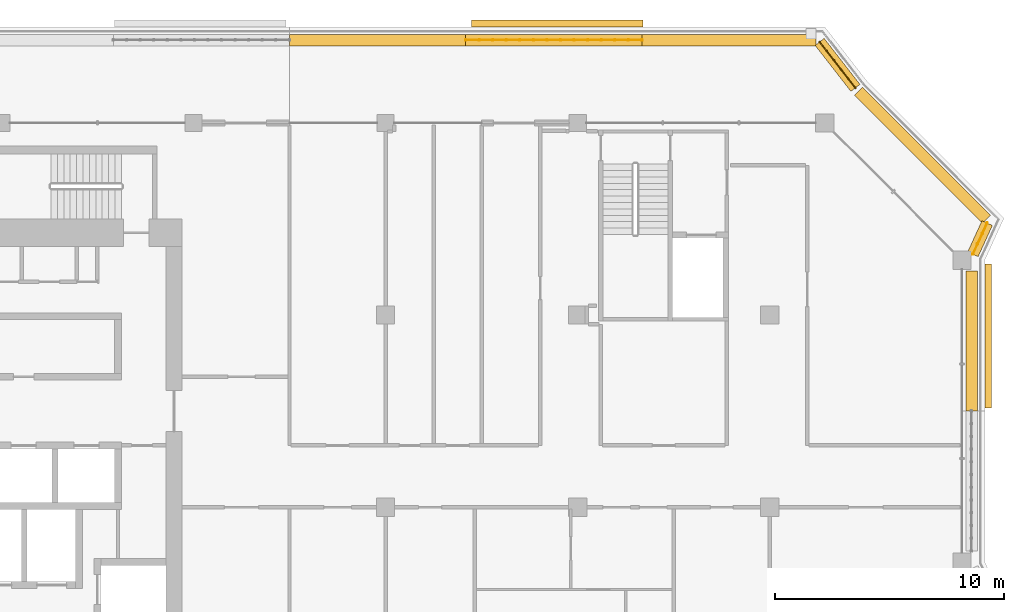
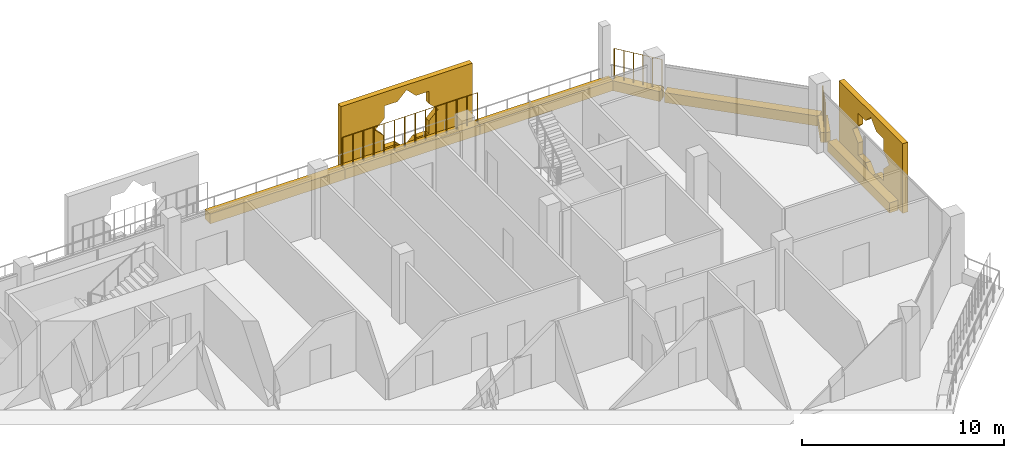
# One storey, part 21 of 21: 9 coverings, 3 railings.
"""IFC4 building model written with IfcOpenShell, lengths in metres."""

from ifc_helpers import new_model, si_unit, direction, frame, origin, origin_2d, place, context, subcontext, project, spatial, polyline, rectangle, circle, outline, extrude, material, material_profile, profile_set, type_object, element, save


model = new_model("IFC4")

# Units and contexts
model_context = context("Model", 3, precision=1e-05, world=origin(), true_north=direction((0.0, 1.0)))
body_context = subcontext(model_context, "Body", "Model", "MODEL_VIEW")
ifc_project = project(units=[si_unit("LENGTHUNIT", "METRE"), si_unit("AREAUNIT", "SQUARE_METRE"), si_unit("VOLUMEUNIT", "CUBIC_METRE"), si_unit("PLANEANGLEUNIT", "RADIAN"), si_unit("MASSUNIT", "GRAM", prefix="KILO")], contexts=[model_context])

# Site, building, storey
site_placement = place(None, origin())
site = spatial("IfcSite", under=ifc_project, at=site_placement, CompositionType="ELEMENT")
building_placement = place(site_placement, origin())
building = spatial("IfcBuilding", under=site, at=building_placement, Name="Kawkab Arch Medical Tower", CompositionType="ELEMENT")
storey_placement = place(building_placement, frame((0.0, 0.0, 319.60009765625)))
storey = spatial("IfcBuildingStorey", under=building, at=storey_placement, Name="L74", CompositionType="ELEMENT", Elevation=319.60009765625)

# Coverings
ifc_material_1 = material(Name="Bronze anodised aluminium mashrabiya panel, eight-point star pattern", Category="aluminium")
ifc_material_profile_1 = material_profile(ifc_material_1, outline(polyline([(-3.14990234375, -2.10009765625), (3.14990234375, -2.10009765625), (3.14990234375, 2.10009765625), (-3.14990234375, 2.10009765625), (-3.14990234375, -2.10009765625)]), holes=[polyline([(1.800048828125, 0.0), (1.272705078125, 0.527099609375), (1.272705078125, 1.272705078125), (0.527099609375, 1.272705078125), (0.0, 1.800048828125), (-0.527099609375, 1.272705078125), (-1.272705078125, 1.272705078125), (-1.272705078125, 0.527099609375), (-1.800048828125, 0.0), (-1.272705078125, -0.527099609375), (-1.272705078125, -1.272705078125), (-0.527099609375, -1.272705078125), (0.0, -1.800048828125), (0.527099609375, -1.272705078125), (1.272705078125, -1.272705078125), (1.272705078125, -0.527099609375), (1.800048828125, 0.0)])]), Name="Mashrabiya panel 6300x4200")
ifc_profile_set_1 = profile_set([ifc_material_profile_1], Name="Bronze anodised aluminium mashrabiya panel, eight-point star pattern")
covering_type_1 = type_object("IfcCoveringType", Name="Mashrabiya panel 6300 x 4200", PredefinedType="USERDEFINED", material=ifc_profile_set_1)
covering_1_placement = place(storey_placement, frame((59.800048828125, -9.31884765625, 1.699951171875), z_axis=(1.0, 0.0, 0.0), x_axis=(0.0, 1.0, 0.0)))
element("IfcCovering", 1, at=covering_1_placement, inside=storey, type_object=covering_type_1, Name="Mashrabiya panel L74.LOG-01-01.6", ObjectType="SCREEN", PredefinedType="USERDEFINED", context=body_context, shape_type="SweptSolid", body=[
    extrude(outline(polyline([(-3.14990234375, -2.10009765625), (3.14990234375, -2.10009765625), (3.14990234375, 2.10009765625), (-3.14990234375, 2.10009765625), (-3.14990234375, -2.10009765625)]), holes=[polyline([(1.800048828125, 0.0), (1.272705078125, 0.527099609375), (1.272705078125, 1.272705078125), (0.527099609375, 1.272705078125), (0.0, 1.800048828125), (-0.527099609375, 1.272705078125), (-1.272705078125, 1.272705078125), (-1.272705078125, 0.527099609375), (-1.800048828125, 0.0), (-1.272705078125, -0.527099609375), (-1.272705078125, -1.272705078125), (-0.527099609375, -1.272705078125), (0.0, -1.800048828125), (0.527099609375, -1.272705078125), (1.272705078125, -1.272705078125), (1.272705078125, -0.527099609375), (1.800048828125, 0.0)])]), origin(), (0.0, 0.0, 1.0), 0.300048828125),
])
ifc_material_2 = material(Name="Bronze anodised aluminium mashrabiya panel, eight-point star pattern", Category="aluminium")
ifc_material_profile_2 = material_profile(ifc_material_2, outline(polyline([(-3.75, -2.10009765625), (3.75, -2.10009765625), (3.75, 2.10009765625), (-3.75, 2.10009765625), (-3.75, -2.10009765625)]), holes=[polyline([(1.800048828125, 0.0), (1.272705078125, 0.527099609375), (1.272705078125, 1.272705078125), (0.527099609375, 1.272705078125), (0.0, 1.800048828125), (-0.527099609375, 1.272705078125), (-1.272705078125, 1.272705078125), (-1.272705078125, 0.527099609375), (-1.800048828125, 0.0), (-1.272705078125, -0.527099609375), (-1.272705078125, -1.272705078125), (-0.527099609375, -1.272705078125), (0.0, -1.800048828125), (0.527099609375, -1.272705078125), (1.272705078125, -1.272705078125), (1.272705078125, -0.527099609375), (1.800048828125, 0.0)])]), Name="Mashrabiya panel 7500x4200")
ifc_profile_set_2 = profile_set([ifc_material_profile_2], Name="Bronze anodised aluminium mashrabiya panel, eight-point star pattern")
covering_type_2 = type_object("IfcCoveringType", Name="Mashrabiya panel 7500 x 4200", PredefinedType="USERDEFINED", material=ifc_profile_set_2)
covering_2_placement = place(storey_placement, frame((41.09765625, 4.199951171875, 1.699951171875), z_axis=(0.0, 1.0, 0.0), x_axis=(-1.0, 0.0, 0.0)))
element("IfcCovering", 2, at=covering_2_placement, inside=storey, type_object=covering_type_2, Name="Mashrabiya panel L74.LOG-01-01.5", ObjectType="SCREEN", PredefinedType="USERDEFINED", context=body_context, shape_type="SweptSolid", body=[
    extrude(outline(polyline([(-3.75, -2.10009765625), (3.75, -2.10009765625), (3.75, 2.10009765625), (-3.75, 2.10009765625), (-3.75, -2.10009765625)]), holes=[polyline([(1.800048828125, 0.0), (1.272705078125, 0.527099609375), (1.272705078125, 1.272705078125), (0.527099609375, 1.272705078125), (0.0, 1.800048828125), (-0.527099609375, 1.272705078125), (-1.272705078125, 1.272705078125), (-1.272705078125, 0.527099609375), (-1.800048828125, 0.0), (-1.272705078125, -0.527099609375), (-1.272705078125, -1.272705078125), (-0.527099609375, -1.272705078125), (0.0, -1.800048828125), (0.527099609375, -1.272705078125), (1.272705078125, -1.272705078125), (1.272705078125, -0.527099609375), (1.800048828125, 0.0)])]), origin(), (0.0, 0.0, 1.0), 0.300048828125),
])
ifc_material_3 = material(Name="Planting soil in a precast trough", Category="concrete")
ifc_material_profile_3 = material_profile(ifc_material_3, rectangle(XDim=0.5, YDim=0.60009765625, at=origin_2d()), Name="Trough 500x600")
ifc_profile_set_3 = profile_set([ifc_material_profile_3], Name="Planting soil in a precast trough")
covering_type_3 = type_object("IfcCoveringType", Name="Planter trough 500 x 600", PredefinedType="USERDEFINED", material=ifc_profile_set_3)
covering_3_placement = place(storey_placement, frame((29.39990234375, 3.6201171875, 0.2998046875), z_axis=(1.0, 0.0, 0.0), x_axis=(0.0, 1.0, 0.0)))
element("IfcCovering", 3, at=covering_3_placement, inside=storey, type_object=covering_type_3, Name="Planter L74.LOG-01-01.16", ObjectType="PLANTER", PredefinedType="USERDEFINED", context=body_context, shape_type="SweptSolid", body=[
    extrude(rectangle(XDim=0.5, YDim=0.60009765625, at=origin_2d()), origin(), (0.0, 0.0, 1.0), 7.705078125),
])
covering_4_placement = place(storey_placement, frame((37.10498046875, 3.6201171875, 0.2998046875), z_axis=(1.0, 0.0, 0.0), x_axis=(0.0, 1.0, 0.0)))
element("IfcCovering", 4, at=covering_4_placement, inside=storey, type_object=covering_type_3, Name="Planter L74.LOG-01-01.17", ObjectType="PLANTER", PredefinedType="USERDEFINED", context=body_context, shape_type="SweptSolid", body=[
    extrude(rectangle(XDim=0.5, YDim=0.60009765625, at=origin_2d()), origin(), (0.0, 0.0, 1.0), 7.7060546875),
])
covering_5_placement = place(storey_placement, frame((44.81103515625, 3.6201171875, 0.2998046875), z_axis=(1.0, 0.0, 0.0), x_axis=(0.0, 1.0, 0.0)))
element("IfcCovering", 5, at=covering_5_placement, inside=storey, type_object=covering_type_3, Name="Planter L74.LOG-01-01.18", ObjectType="PLANTER", PredefinedType="USERDEFINED", context=body_context, shape_type="SweptSolid", body=[
    extrude(rectangle(XDim=0.5, YDim=0.60009765625, at=origin_2d()), origin(), (0.0, 0.0, 1.0), 7.60498046875),
])
covering_6_placement = place(storey_placement, frame((52.577880859375, 3.541015625, 0.2998046875), z_axis=(0.614099956103, -0.789228258436, 0.0), x_axis=(0.789228258436, 0.614099956103, 0.0)))
element("IfcCovering", 6, at=covering_6_placement, inside=storey, type_object=covering_type_3, Name="Planter L74.LOG-01-01.19", ObjectType="PLANTER", PredefinedType="USERDEFINED", context=body_context, shape_type="SweptSolid", body=[
    extrude(rectangle(XDim=0.5, YDim=0.60009765625, at=origin_2d()), origin(), (0.0, 0.0, 1.0), 2.545654296875),
])
covering_7_placement = place(storey_placement, frame((54.27294921875, 1.383056640625, 0.2998046875), z_axis=(0.707106781187, -0.707106781187, 0.0), x_axis=(0.707106781187, 0.707106781187, 0.0)))
element("IfcCovering", 7, at=covering_7_placement, inside=storey, type_object=covering_type_3, Name="Planter L74.LOG-01-01.20", ObjectType="PLANTER", PredefinedType="USERDEFINED", context=body_context, shape_type="SweptSolid", body=[
    extrude(rectangle(XDim=0.5, YDim=0.60009765625, at=origin_2d()), origin(), (0.0, 0.0, 1.0), 7.919677734375),
])
covering_8_placement = place(storey_placement, frame((59.902099609375, -4.37890625, 0.2998046875), z_axis=(-0.415189748133, -0.909734836667, 0.0), x_axis=(0.909734836667, -0.415189748133, 0.0)))
element("IfcCovering", 8, at=covering_8_placement, inside=storey, type_object=covering_type_3, Name="Planter L74.LOG-01-01.21", ObjectType="PLANTER", PredefinedType="USERDEFINED", context=body_context, shape_type="SweptSolid", body=[
    extrude(rectangle(XDim=0.5, YDim=0.60009765625, at=origin_2d()), origin(), (0.0, 0.0, 1.0), 1.498291015625),
])
covering_9_placement = place(storey_placement, frame((59.219970703125, -6.47998046875, 0.2998046875), z_axis=(0.0, -1.0, 0.0), x_axis=(1.0, 0.0, 0.0)))
element("IfcCovering", 9, at=covering_9_placement, inside=storey, type_object=covering_type_3, Name="Planter L74.LOG-01-01.22", ObjectType="PLANTER", PredefinedType="USERDEFINED", context=body_context, shape_type="SweptSolid", body=[
    extrude(rectangle(XDim=0.5, YDim=0.60009765625, at=origin_2d()), origin(), (0.0, 0.0, 1.0), 6.1201171875),
])

# Railings
ifc_material_4 = material(Name="Bronze anodised aluminium trellis for climbing plants", Category="aluminium")
railing_type = type_object("IfcRailingType", Name="Planting trellis 2400", PredefinedType="USERDEFINED", material=ifc_material_4)
railing_1_placement = place(storey_placement, frame((37.10498046875, 3.6201171875, 0.0)))
element("IfcRailing", 10, at=railing_1_placement, inside=storey, type_object=railing_type, Name="Planting trellis L74.LOG-01-01.17", ObjectType="TRELLIS", PredefinedType="USERDEFINED", context=body_context, shape_type="SweptSolid", body=[
    extrude(circle(Radius=0.01513671875, at=origin_2d()), frame((0.0, 0.0, 2.384765625), z_axis=(1.0, 0.0, 0.0), x_axis=(0.0, 1.0, 0.0)), (0.0, 0.0, 1.0), 7.7060546875),
    extrude(circle(Radius=0.030029296875, at=origin_2d()), origin(), (0.0, 0.0, 1.0), 2.369873046875),
    extrude(circle(Radius=0.030029296875, at=origin_2d()), frame((0.5927734375, 0.0, 0.0)), (0.0, 0.0, 1.0), 2.369873046875),
    extrude(circle(Radius=0.030029296875, at=origin_2d()), frame((1.185546875, 0.0, 0.0)), (0.0, 0.0, 1.0), 2.369873046875),
    extrude(circle(Radius=0.030029296875, at=origin_2d()), frame((1.7783203125, 0.0, 0.0)), (0.0, 0.0, 1.0), 2.369873046875),
    extrude(circle(Radius=0.030029296875, at=origin_2d()), frame((2.37109375, 0.0, 0.0)), (0.0, 0.0, 1.0), 2.369873046875),
    extrude(circle(Radius=0.030029296875, at=origin_2d()), frame((2.9638671875, 0.0, 0.0)), (0.0, 0.0, 1.0), 2.369873046875),
    extrude(circle(Radius=0.030029296875, at=origin_2d()), frame((3.556640625, 0.0, 0.0)), (0.0, 0.0, 1.0), 2.369873046875),
    extrude(circle(Radius=0.030029296875, at=origin_2d()), frame((4.1494140625, 0.0, 0.0)), (0.0, 0.0, 1.0), 2.369873046875),
    extrude(circle(Radius=0.030029296875, at=origin_2d()), frame((4.7421875, 0.0, 0.0)), (0.0, 0.0, 1.0), 2.369873046875),
    extrude(circle(Radius=0.030029296875, at=origin_2d()), frame((5.3349609375, 0.0, 0.0)), (0.0, 0.0, 1.0), 2.369873046875),
    extrude(circle(Radius=0.030029296875, at=origin_2d()), frame((5.927734375, 0.0, 0.0)), (0.0, 0.0, 1.0), 2.369873046875),
    extrude(circle(Radius=0.030029296875, at=origin_2d()), frame((6.5205078125, 0.0, 0.0)), (0.0, 0.0, 1.0), 2.369873046875),
    extrude(circle(Radius=0.030029296875, at=origin_2d()), frame((7.11328125, 0.0, 0.0)), (0.0, 0.0, 1.0), 2.369873046875),
    extrude(circle(Radius=0.030029296875, at=origin_2d()), frame((7.7060546875, 0.0, 0.0)), (0.0, 0.0, 1.0), 2.369873046875),
])
railing_2_placement = place(storey_placement, frame((52.577880859375, 3.541015625, 0.0)))
element("IfcRailing", 11, at=railing_2_placement, inside=storey, type_object=railing_type, Name="Planting trellis L74.LOG-01-01.19", ObjectType="TRELLIS", PredefinedType="USERDEFINED", context=body_context, shape_type="SweptSolid", body=[
    extrude(circle(Radius=0.01513671875, at=origin_2d()), frame((0.0, 0.0, 2.384765625), z_axis=(0.614099956103, -0.789228258436, 0.0), x_axis=(0.789228258436, 0.614099956103, 0.0)), (0.0, 0.0, 1.0), 2.545654296875),
    extrude(circle(Radius=0.030029296875, at=origin_2d()), origin(), (0.0, 0.0, 1.0), 2.369873046875),
    extrude(circle(Radius=0.030029296875, at=origin_2d()), frame((0.312744140625, -0.40185546875, 0.0)), (0.0, 0.0, 1.0), 2.369873046875),
    extrude(circle(Radius=0.030029296875, at=origin_2d()), frame((0.625244140625, -0.8037109375, 0.0)), (0.0, 0.0, 1.0), 2.369873046875),
    extrude(circle(Radius=0.030029296875, at=origin_2d()), frame((0.93798828125, -1.205322265625, 0.0)), (0.0, 0.0, 1.0), 2.369873046875),
    extrude(circle(Radius=0.030029296875, at=origin_2d()), frame((1.25048828125, -1.607177734375, 0.0)), (0.0, 0.0, 1.0), 2.369873046875),
    extrude(circle(Radius=0.030029296875, at=origin_2d()), frame((1.563232421875, -2.009033203125, 0.0)), (0.0, 0.0, 1.0), 2.369873046875),
])
railing_3_placement = place(storey_placement, frame((59.902099609375, -4.37890625, 0.0)))
element("IfcRailing", 12, at=railing_3_placement, inside=storey, type_object=railing_type, Name="Planting trellis L74.LOG-01-01.21", ObjectType="TRELLIS", PredefinedType="USERDEFINED", context=body_context, shape_type="SweptSolid", body=[
    extrude(circle(Radius=0.01513671875, at=origin_2d()), frame((0.0, 0.0, 2.384765625), z_axis=(-0.415189748133, -0.909734836667, 0.0), x_axis=(0.909734836667, -0.415189748133, 0.0)), (0.0, 0.0, 1.0), 1.498291015625),
    extrude(circle(Radius=0.030029296875, at=origin_2d()), origin(), (0.0, 0.0, 1.0), 2.369873046875),
    extrude(circle(Radius=0.030029296875, at=origin_2d()), frame((-0.207275390625, -0.454345703125, 0.0)), (0.0, 0.0, 1.0), 2.369873046875),
    extrude(circle(Radius=0.030029296875, at=origin_2d()), frame((-0.414794921875, -0.90869140625, 0.0)), (0.0, 0.0, 1.0), 2.369873046875),
    extrude(circle(Radius=0.030029296875, at=origin_2d()), frame((-0.6220703125, -1.363037109375, 0.0)), (0.0, 0.0, 1.0), 2.369873046875),
])

save(model, "model.ifc")
